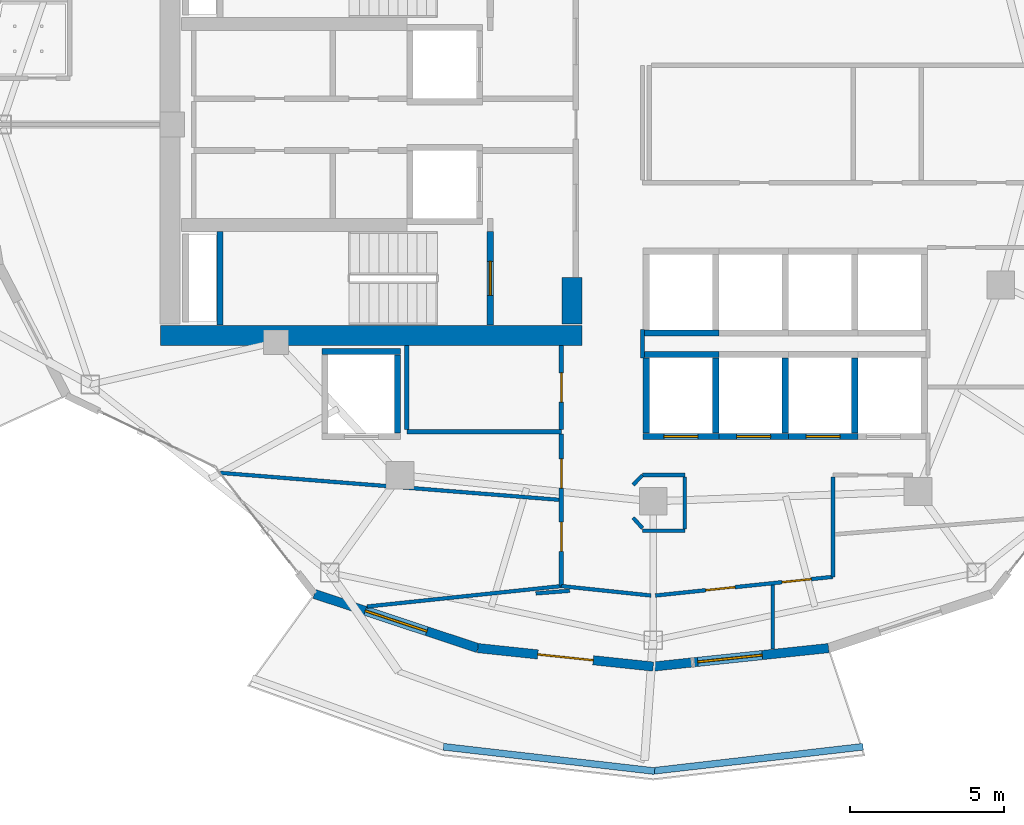
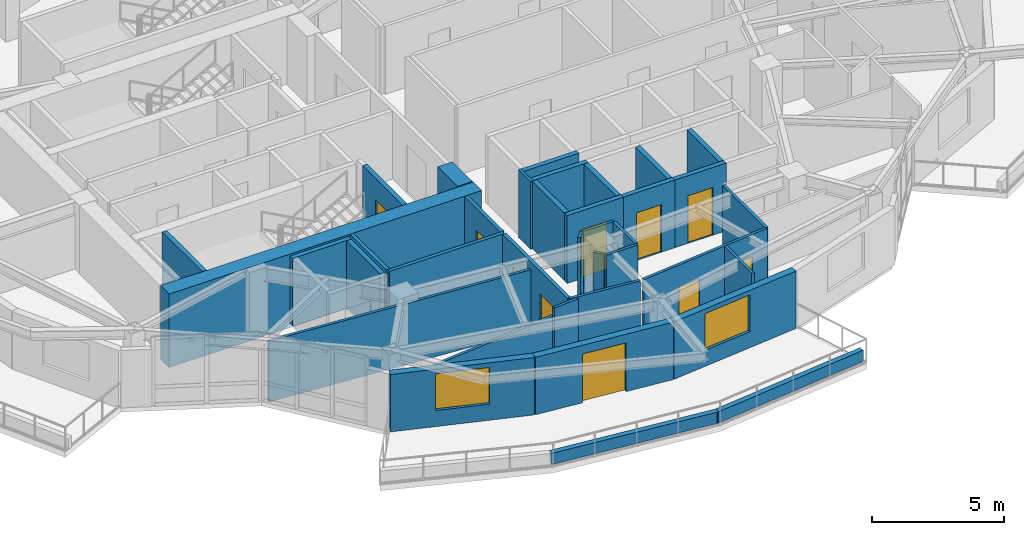
# One storey, part 8 of 19: 37 walls, 10 doors, 2 windows, 12 openings.
"""IFC4 building model written with IfcOpenShell, lengths in metres."""

from ifc_helpers import new_model, si_unit, direction, frame, frame_2d, origin, place, context, subcontext, project, spatial, rectangle, extrude, material, layer, layer_set, type_object, element, fill, save


model = new_model("IFC4")

# Units and contexts
model_context = context("Model", 3, precision=1e-05, world=origin(), true_north=direction((0.0, 1.0)))
body_context = subcontext(model_context, "Body", "Model", "MODEL_VIEW")
ifc_project = project(units=[si_unit("LENGTHUNIT", "METRE"), si_unit("AREAUNIT", "SQUARE_METRE"), si_unit("VOLUMEUNIT", "CUBIC_METRE"), si_unit("PLANEANGLEUNIT", "RADIAN"), si_unit("MASSUNIT", "GRAM", prefix="KILO")], contexts=[model_context])

# Site, building, storey
site_placement = place(None, origin())
site = spatial("IfcSite", under=ifc_project, at=site_placement, CompositionType="ELEMENT")
building_placement = place(site_placement, origin())
building = spatial("IfcBuilding", under=site, at=building_placement, Name="Kolvaren Gate Tower and Convention Centre", CompositionType="ELEMENT")
storey_placement = place(building_placement, frame((0.0, 0.0, 163.10009765625)))
storey = spatial("IfcBuildingStorey", under=building, at=storey_placement, Name="L42", CompositionType="ELEMENT", Elevation=163.10009765625)

# Walls
ifc_material_1 = material(Name="Fire-Rated Acoustic Gypsum Stud Partition", Category="gypsum")
ifc_layer_1 = layer(ifc_material_1, 0.1201171875)
ifc_layer_set_1 = layer_set([ifc_layer_1], Name="Fire-Rated Acoustic Gypsum Stud Partition")
wall_type_1 = type_object("IfcWallType", Name="ARCH-WL-PART-120", PredefinedType="PARTITIONING", material=ifc_layer_set_1)
wall_1_placement = place(storey_placement, frame((29.780029296875, 15.64990234375, 0.0), z_axis=(0.0, 0.0, 1.0), x_axis=(1.0, 0.0, 0.0)))
element("IfcWall", 1, at=wall_1_placement, inside=storey, type_object=wall_type_1, Name="Interior Partition WL-L42-INT-025", PredefinedType="PARTITIONING", context=body_context, shape_type="SweptSolid", body=[
    extrude(rectangle(XDim=1.369873046875, YDim=0.1201171875, at=frame_2d((0.68505859375, 0.0))), origin(), (0.0, 0.0, 1.0), 3.1298828125),
])
wall_2_placement = place(storey_placement, frame((35.949951171875, 12.35595703125, 0.0), z_axis=(0.0, 0.0, 1.0), x_axis=(0.0, 1.0, 0.0)))
element("IfcWall", 2, at=wall_2_placement, inside=storey, type_object=wall_type_1, Name="Interior Partition WL-L42-INT-027", PredefinedType="PARTITIONING", context=body_context, shape_type="SweptSolid", body=[
    extrude(rectangle(XDim=3.23193359375, YDim=0.1201171875, at=frame_2d((1.615966796875, 0.0))), origin(), (0.0, 0.0, 1.0), 3.1298828125),
])

# Wall, openings, doors
wall_3_placement = place(storey_placement, frame((30.195068359375, 11.75, 0.0), z_axis=(0.0, 0.0, 1.0), x_axis=(0.994502215954, 0.104715531139, 0.0)))
wall_3 = element("IfcWall", 3, at=wall_3_placement, inside=storey, type_object=wall_type_1, Name="Interior Partition WL-L42-INT-028", PredefinedType="PARTITIONING", context=body_context, shape_type="SweptSolid", body=[
    extrude(rectangle(XDim=5.78662109375, YDim=0.1201171875, at=frame_2d((2.893310546875, 0.0))), origin(), (0.0, 0.0, 1.0), 3.1298828125),
])
opening_1_placement = place(wall_3_placement, frame((1.643798828125, 0.0, 0.0)))
opening_1 = element("IfcOpeningElement", 4, at=opening_1_placement, cuts=wall_3, Name="Opening DR-01", PredefinedType="OPENING", context=body_context, shape_type="SweptSolid", body=[
    extrude(rectangle(XDim=0.949951171875, YDim=2.10009765625, at=frame_2d((0.47509765625, 1.050048828125))), frame((0.0, 0.070068359375, 0.0), z_axis=(0.0, -1.0, 0.0), x_axis=(1.0, 0.0, 0.0)), (0.0, 0.0, 1.0), 0.14013671875),
])
opening_2_placement = place(wall_3_placement, frame((4.125732421875, 0.0, 0.0)))
opening_2 = element("IfcOpeningElement", 5, at=opening_2_placement, cuts=wall_3, Name="Opening DR-01", PredefinedType="OPENING", context=body_context, shape_type="SweptSolid", body=[
    extrude(rectangle(XDim=0.949951171875, YDim=2.10009765625, at=frame_2d((0.47509765625, 1.050048828125))), frame((0.0, 0.070068359375, 0.0), z_axis=(0.0, -1.0, 0.0), x_axis=(1.0, 0.0, 0.0)), (0.0, 0.0, 1.0), 0.14013671875),
])
ifc_material_2 = material(Name="Painted Architectural Steelwork ASTM A500 Grade C 345 MPa", Category="steel")
door_type_1 = type_object("IfcDoorType", Name="ARCH-DR-RISER-950", OperationType="SINGLE_SWING_RIGHT", PredefinedType="DOOR", material=ifc_material_2)
door_1_placement = place(opening_1_placement, origin())
door_1 = element("IfcDoor", 6, at=door_1_placement, inside=storey, type_object=door_type_1, Name="Luxury Retail Boutique Door", OperationType="SINGLE_SWING_LEFT", OverallHeight=2.10009765625, OverallWidth=0.949951171875, PredefinedType="DOOR", context=body_context, shape_type="SweptSolid", body=[
    extrude(rectangle(XDim=0.949951171875, YDim=2.10009765625, at=frame_2d((0.47509765625, 1.050048828125))), frame((0.0, 0.02490234375, 0.0), z_axis=(0.0, -1.0, 0.0), x_axis=(1.0, 0.0, 0.0)), (0.0, 0.0, 1.0), 0.050048828125),
])
fill(opening_1, door_1)
door_2_placement = place(opening_2_placement, origin())
door_2 = element("IfcDoor", 7, at=door_2_placement, inside=storey, type_object=door_type_1, Name="Luxury Retail Boutique Door", OperationType="SINGLE_SWING_RIGHT", OverallHeight=2.10009765625, OverallWidth=0.949951171875, PredefinedType="DOOR", context=body_context, shape_type="SweptSolid", body=[
    extrude(rectangle(XDim=0.949951171875, YDim=2.10009765625, at=frame_2d((0.47509765625, 1.050048828125))), frame((0.0, 0.02490234375, 0.0), z_axis=(0.0, -1.0, 0.0), x_axis=(1.0, 0.0, 0.0)), (0.0, 0.0, 1.0), 0.050048828125),
])
fill(opening_2, door_2)

# Walls
wall_4_placement = place(storey_placement, frame((27.14990234375, 12.055908203125, 0.0), z_axis=(0.0, 0.0, 1.0), x_axis=(0.994501330468, -0.104723940422, 0.0)))
element("IfcWall", 8, at=wall_4_placement, inside=storey, type_object=wall_type_1, Name="Interior Partition WL-L42-INT-029", PredefinedType="PARTITIONING", context=body_context, shape_type="SweptSolid", body=[
    extrude(rectangle(XDim=2.921142578125, YDim=0.1201171875, at=frame_2d((1.46044921875, 0.0))), origin(), (0.0, 0.0, 1.0), 3.1298828125),
])
wall_5_placement = place(storey_placement, frame((29.780029296875, 19.43994140625, 0.0), z_axis=(0.0, 0.0, 1.0), x_axis=(0.0, 1.0, 0.0)))
element("IfcWall", 9, at=wall_5_placement, inside=storey, type_object=wall_type_1, Name="Interior Partition WL-L42-INT-032", PredefinedType="PARTITIONING", context=body_context, shape_type="SweptSolid", body=[
    extrude(rectangle(XDim=0.920166015625, YDim=0.1201171875, at=frame_2d((0.4599609375, 0.0))), origin(), (0.0, 0.0, 1.0), 3.1298828125),
])
wall_6_placement = place(storey_placement, frame((29.47607421875, 15.3330078125, 0.0), z_axis=(0.0, 0.0, 1.0), x_axis=(0.692219273951, 0.721687243043, 0.0)))
element("IfcWall", 10, at=wall_6_placement, inside=storey, type_object=wall_type_1, Name="Interior Partition WL-L42-INT-044", PredefinedType="PARTITIONING", context=body_context, shape_type="SweptSolid", body=[
    extrude(rectangle(XDim=0.439208984375, YDim=0.1201171875, at=frame_2d((0.2197265625, 0.0))), origin(), (0.0, 0.0, 1.0), 3.1298828125),
])
wall_7_placement = place(storey_placement, frame((29.47607421875, 14.26708984375, 0.0), z_axis=(0.0, 0.0, 1.0), x_axis=(0.670659392016, -0.741765448037, 0.0)))
element("IfcWall", 11, at=wall_7_placement, inside=storey, type_object=wall_type_1, Name="Interior Partition WL-L42-INT-045", PredefinedType="PARTITIONING", context=body_context, shape_type="SweptSolid", body=[
    extrude(rectangle(XDim=0.453125, YDim=0.1201171875, at=frame_2d((0.2265625, 0.0))), origin(), (0.0, 0.0, 1.0), 3.1298828125),
])
wall_8_placement = place(storey_placement, frame((29.780029296875, 13.85009765625, 0.0), z_axis=(0.0, 0.0, 1.0), x_axis=(1.0, 0.0, 0.0)))
element("IfcWall", 12, at=wall_8_placement, inside=storey, type_object=wall_type_1, Name="Interior Partition WL-L42-INT-046", PredefinedType="PARTITIONING", context=body_context, shape_type="SweptSolid", body=[
    extrude(rectangle(XDim=1.369873046875, YDim=0.1201171875, at=frame_2d((0.68505859375, 0.0))), origin(), (0.0, 0.0, 1.0), 3.1298828125),
])
wall_9_placement = place(storey_placement, frame((31.14990234375, 13.912109375, 0.0), z_axis=(0.0, 0.0, 1.0), x_axis=(0.0, 1.0, 0.0)))
element("IfcWall", 13, at=wall_9_placement, inside=storey, type_object=wall_type_1, Name="Interior Partition WL-L42-INT-047", PredefinedType="PARTITIONING", context=body_context, shape_type="SweptSolid", body=[
    extrude(rectangle(XDim=1.67578125, YDim=0.1201171875, at=frame_2d((0.837890625, 0.0))), origin(), (0.0, 0.0, 1.0), 3.1298828125),
])
wall_10_placement = place(storey_placement, frame((16.11669921875, 15.72119140625, 0.0), z_axis=(0.0, 0.0, 1.0), x_axis=(0.99685428738, -0.079256102176, 0.0)))
element("IfcWall", 14, at=wall_10_placement, inside=storey, type_object=wall_type_1, Name="Interior Partition WL-L42-INT-050", PredefinedType="PARTITIONING", context=body_context, shape_type="SweptSolid", body=[
    extrude(rectangle(XDim=10.990966796875, YDim=0.1201171875, at=frame_2d((5.49560546875, 0.0))), origin(), (0.0, 0.0, 1.0), 2.81201171875),
])
wall_11_placement = place(storey_placement, frame((20.867431640625, 11.394287109375, 0.0), z_axis=(0.0, 0.0, 1.0), x_axis=(0.994500369419, 0.104733066534, 0.0)))
element("IfcWall", 15, at=wall_11_placement, inside=storey, type_object=wall_type_1, Name="Interior Partition WL-L42-INT-051", PredefinedType="PARTITIONING", context=body_context, shape_type="SweptSolid", body=[
    extrude(rectangle(XDim=6.317138671875, YDim=0.1201171875, at=frame_2d((3.15869140625, 0.0))), origin(), (0.0, 0.0, 1.0), 2.65283203125),
])
wall_12_placement = place(storey_placement, frame((26.323486328125, 11.818115234375, 0.0), z_axis=(0.0, 0.0, 1.0), x_axis=(0.996928224464, 0.078320592867, 0.0)))
element("IfcWall", 16, at=wall_12_placement, inside=storey, type_object=wall_type_1, Name="Interior Partition WL-L42-INT-052", PredefinedType="PARTITIONING", context=body_context, shape_type="SweptSolid", body=[
    extrude(rectangle(XDim=1.103515625, YDim=0.1201171875, at=frame_2d((0.5517578125, 0.0))), origin(), (0.0, 0.0, 1.0), 3.1298828125),
])
wall_13_placement = place(storey_placement, frame((34.0, 10.010986328125, 0.0), z_axis=(0.0, 0.0, 1.0), x_axis=(0.0, 1.0, 0.0)))
element("IfcWall", 17, at=wall_13_placement, inside=storey, type_object=wall_type_1, Name="Interior Partition WL-L42-INT-053", PredefinedType="PARTITIONING", context=body_context, shape_type="SweptSolid", body=[
    extrude(rectangle(XDim=2.077392578125, YDim=0.1201171875, at=frame_2d((1.03857421875, 0.0))), origin(), (0.0, 0.0, 1.0), 3.1298828125),
])
ifc_material_3 = material(Name="Piedmont Cream Honed Limestone Cladding", Category="masonry")
ifc_layer_2 = layer(ifc_material_3, 0.219970703125)
ifc_layer_set_2 = layer_set([ifc_layer_2], Name="Piedmont Cream Honed Limestone Cladding")
wall_type_2 = type_object("IfcWallType", Name="ARCH-WL-PLANTER-220", PredefinedType="PARAPET", material=ifc_layer_set_2)
for number, where, z_axis, x_axis, name in (
    (18, (23.330078125, 6.853759765625, 0.0), (0.0, 0.0, 1.0), (0.993440576506, -0.114349555972, 0.0), "Vertical-Forest Balcony Stone Planter Kerb PK-L42-3.2"),
    (19, (30.07958984375, 6.06640625, 0.0), (0.0, 0.0, 1.0), (0.993440576506, 0.114349555972, 0.0), "Vertical-Forest Balcony Stone Planter Kerb PK-L42-3.3"),
):
    element("IfcWall", number, at=place(storey_placement, frame(where, z_axis=z_axis, x_axis=x_axis)), inside=storey, type_object=wall_type_2, Name=name, PredefinedType="PARAPET", context=body_context, shape_type="SweptSolid", body=[
        extrude(rectangle(XDim=6.885498046875, YDim=0.219970703125, at=frame_2d((3.44287109375, 0.0))), origin(), (0.0, 0.0, 1.0), 0.52001953125),
    ])
ifc_material_4 = material(Name="Autoclaved Aerated Masonry Blockwork Class 4 (4.0 MPa)", Category="masonry")
ifc_layer_3 = layer(ifc_material_4, 0.199951171875)
ifc_layer_set_3 = layer_set([ifc_layer_3], Name="Autoclaved Aerated Masonry Blockwork Class 4 (4.0 MPa)")
wall_type_3 = type_object("IfcWallType", Name="ARCH-WL-SHAFT-200", PredefinedType="SOLIDWALL", material=ifc_layer_set_3)
wall_14_placement = place(storey_placement, frame((19.39990234375, 19.64990234375, 0.0), z_axis=(0.0, 0.0, 1.0), x_axis=(1.0, 0.0, 0.0)))
element("IfcWall", 20, at=wall_14_placement, inside=storey, type_object=wall_type_3, Name="Elevator SV-01 L42 Fire Shaft Wall N", PredefinedType="SOLIDWALL", context=body_context, shape_type="SweptSolid", body=[
    extrude(rectangle(XDim=2.550048828125, YDim=0.199951171875, at=frame_2d((1.27490234375, 0.0))), origin(), (0.0, 0.0, 1.0), 3.1298828125),
])
wall_15_placement = place(storey_placement, frame((21.85009765625, 17.010009765625, 0.0), z_axis=(0.0, 0.0, 1.0), x_axis=(0.0, 1.0, 0.0)))
element("IfcWall", 21, at=wall_15_placement, inside=storey, type_object=wall_type_3, Name="Elevator SV-01 L42 Fire Shaft Wall E", PredefinedType="SOLIDWALL", context=body_context, shape_type="SweptSolid", body=[
    extrude(rectangle(XDim=2.530029296875, YDim=0.199951171875, at=frame_2d((1.26513671875, 0.0))), origin(), (0.0, 0.0, 1.0), 3.1298828125),
])
wall_16_placement = place(storey_placement, frame((29.800048828125, 19.550048828125, 0.0), z_axis=(0.0, 0.0, 1.0), x_axis=(1.0, 0.0, 0.0)))
element("IfcWall", 22, at=wall_16_placement, inside=storey, type_object=wall_type_3, Name="Elevator PL-05 L42 Fire Shaft Wall N", PredefinedType="SOLIDWALL", context=body_context, shape_type="SweptSolid", body=[
    extrude(rectangle(XDim=2.449951171875, YDim=0.199951171875, at=frame_2d((1.22509765625, 0.0))), origin(), (0.0, 0.0, 1.0), 3.1298828125),
])

# Wall, opening, door
wall_17_placement = place(storey_placement, frame((29.800048828125, 16.89990234375, 0.0), z_axis=(0.0, 0.0, 1.0), x_axis=(1.0, 0.0, 0.0)))
wall_17 = element("IfcWall", 23, at=wall_17_placement, inside=storey, type_object=wall_type_3, Name="Elevator PL-05 L42 Fire Shaft Wall S", PredefinedType="SOLIDWALL", context=body_context, shape_type="SweptSolid", body=[
    extrude(rectangle(XDim=2.449951171875, YDim=0.199951171875, at=frame_2d((1.22509765625, 0.0))), origin(), (0.0, 0.0, 1.0), 3.1298828125),
])
opening_3_placement = place(wall_17_placement, frame((0.675048828125, 0.0, 0.0)))
opening_3 = element("IfcOpeningElement", 24, at=opening_3_placement, cuts=wall_17, Name="Opening LD", PredefinedType="OPENING", context=body_context, shape_type="SweptSolid", body=[
    extrude(rectangle(XDim=1.10009765625, YDim=2.199951171875, at=frame_2d((0.550048828125, 1.10009765625))), frame((0.0, 0.10986328125, 0.0), z_axis=(0.0, -1.0, 0.0), x_axis=(1.0, 0.0, 0.0)), (0.0, 0.0, 1.0), 0.219970703125),
])
ifc_material_5 = material(Name="Brushed Stainless Steel Grade 316L", Category="steel")
door_type_2 = type_object("IfcDoorType", Name="ARCH-DR-LIFT-1100", OperationType="SLIDING_TO_LEFT", PredefinedType="DOOR", material=ifc_material_5)
door_3_placement = place(opening_3_placement, origin())
door_3 = element("IfcDoor", 25, at=door_3_placement, inside=storey, type_object=door_type_2, Name="Elevator PL-05 L42 Sliding Landing Door", OperationType="SLIDING_TO_LEFT", OverallHeight=2.199951171875, OverallWidth=1.10009765625, PredefinedType="DOOR", context=body_context, shape_type="SweptSolid", body=[
    extrude(rectangle(XDim=1.10009765625, YDim=2.199951171875, at=frame_2d((0.550048828125, 1.10009765625))), frame((0.0, 0.02490234375, 0.0), z_axis=(0.0, -1.0, 0.0), x_axis=(1.0, 0.0, 0.0)), (0.0, 0.0, 1.0), 0.050048828125),
])
fill(opening_3, door_3)

# Walls
for number, where, z_axis, x_axis, name in (
    (26, (29.89990234375, 17.010009765625, 0.0), (0.0, 0.0, 1.0), (0.0, 1.0, 0.0), "Elevator PL-05 L42 Fire Shaft Wall W"),
    (27, (32.14990234375, 17.010009765625, 0.0), (0.0, 0.0, 1.0), (0.0, 1.0, 0.0), "Elevator PL-05 L42 Fire Shaft Wall E"),
):
    element("IfcWall", number, at=place(storey_placement, frame(where, z_axis=z_axis, x_axis=x_axis)), inside=storey, type_object=wall_type_3, Name=name, PredefinedType="SOLIDWALL", context=body_context, shape_type="SweptSolid", body=[
        extrude(rectangle(XDim=2.429931640625, YDim=0.199951171875, at=frame_2d((1.21484375, 0.0))), origin(), (0.0, 0.0, 1.0), 3.1298828125),
    ])

# Wall, opening, door
wall_18_placement = place(storey_placement, frame((32.25, 16.89990234375, 0.0), z_axis=(0.0, 0.0, 1.0), x_axis=(1.0, 0.0, 0.0)))
wall_18 = element("IfcWall", 28, at=wall_18_placement, inside=storey, type_object=wall_type_3, Name="Elevator PL-06 L42 Fire Shaft Wall S", PredefinedType="SOLIDWALL", context=body_context, shape_type="SweptSolid", body=[
    extrude(rectangle(XDim=2.25, YDim=0.199951171875, at=frame_2d((1.125, 0.0))), origin(), (0.0, 0.0, 1.0), 3.1298828125),
])
opening_4_placement = place(wall_18_placement, frame((0.574951171875, 0.0, 0.0)))
opening_4 = element("IfcOpeningElement", 29, at=opening_4_placement, cuts=wall_18, Name="Opening LD", PredefinedType="OPENING", context=body_context, shape_type="SweptSolid", body=[
    extrude(rectangle(XDim=1.10009765625, YDim=2.199951171875, at=frame_2d((0.550048828125, 1.10009765625))), frame((0.0, 0.10986328125, 0.0), z_axis=(0.0, -1.0, 0.0), x_axis=(1.0, 0.0, 0.0)), (0.0, 0.0, 1.0), 0.219970703125),
])
door_4_placement = place(opening_4_placement, origin())
door_4 = element("IfcDoor", 30, at=door_4_placement, inside=storey, type_object=door_type_2, Name="Elevator PL-06 L42 Sliding Landing Door", OperationType="SLIDING_TO_LEFT", OverallHeight=2.199951171875, OverallWidth=1.10009765625, PredefinedType="DOOR", context=body_context, shape_type="SweptSolid", body=[
    extrude(rectangle(XDim=1.10009765625, YDim=2.199951171875, at=frame_2d((0.550048828125, 1.10009765625))), frame((0.0, 0.02490234375, 0.0), z_axis=(0.0, -1.0, 0.0), x_axis=(1.0, 0.0, 0.0)), (0.0, 0.0, 1.0), 0.050048828125),
])
fill(opening_4, door_4)

# Wall
wall_19_placement = place(storey_placement, frame((34.39990234375, 17.010009765625, 0.0), z_axis=(0.0, 0.0, 1.0), x_axis=(0.0, 1.0, 0.0)))
element("IfcWall", 31, at=wall_19_placement, inside=storey, type_object=wall_type_3, Name="Elevator PL-06 L42 Fire Shaft Wall E", PredefinedType="SOLIDWALL", context=body_context, shape_type="SweptSolid", body=[
    extrude(rectangle(XDim=2.429931640625, YDim=0.199951171875, at=frame_2d((1.21484375, 0.0))), origin(), (0.0, 0.0, 1.0), 3.1298828125),
])

# Wall, opening, door
wall_20_placement = place(storey_placement, frame((34.5, 16.89990234375, 0.0), z_axis=(0.0, 0.0, 1.0), x_axis=(1.0, 0.0, 0.0)))
wall_20 = element("IfcWall", 32, at=wall_20_placement, inside=storey, type_object=wall_type_3, Name="Elevator PL-07 L42 Fire Shaft Wall S", PredefinedType="SOLIDWALL", context=body_context, shape_type="SweptSolid", body=[
    extrude(rectangle(XDim=2.25, YDim=0.199951171875, at=frame_2d((1.125, 0.0))), origin(), (0.0, 0.0, 1.0), 3.1298828125),
])
opening_5_placement = place(wall_20_placement, frame((0.574951171875, 0.0, 0.0)))
opening_5 = element("IfcOpeningElement", 33, at=opening_5_placement, cuts=wall_20, Name="Opening LD", PredefinedType="OPENING", context=body_context, shape_type="SweptSolid", body=[
    extrude(rectangle(XDim=1.10009765625, YDim=2.199951171875, at=frame_2d((0.550048828125, 1.10009765625))), frame((0.0, 0.10986328125, 0.0), z_axis=(0.0, -1.0, 0.0), x_axis=(1.0, 0.0, 0.0)), (0.0, 0.0, 1.0), 0.219970703125),
])
door_5_placement = place(opening_5_placement, origin())
door_5 = element("IfcDoor", 34, at=door_5_placement, inside=storey, type_object=door_type_2, Name="Elevator PL-07 L42 Sliding Landing Door", OperationType="SLIDING_TO_LEFT", OverallHeight=2.199951171875, OverallWidth=1.10009765625, PredefinedType="DOOR", context=body_context, shape_type="SweptSolid", body=[
    extrude(rectangle(XDim=1.10009765625, YDim=2.199951171875, at=frame_2d((0.550048828125, 1.10009765625))), frame((0.0, 0.02490234375, 0.0), z_axis=(0.0, -1.0, 0.0), x_axis=(1.0, 0.0, 0.0)), (0.0, 0.0, 1.0), 0.050048828125),
])
fill(opening_5, door_5)

# Walls
wall_21_placement = place(storey_placement, frame((36.64990234375, 17.010009765625, 0.0), z_axis=(0.0, 0.0, 1.0), x_axis=(0.0, 1.0, 0.0)))
element("IfcWall", 35, at=wall_21_placement, inside=storey, type_object=wall_type_3, Name="Elevator PL-07 L42 Fire Shaft Wall E", PredefinedType="SOLIDWALL", context=body_context, shape_type="SweptSolid", body=[
    extrude(rectangle(XDim=2.429931640625, YDim=0.199951171875, at=frame_2d((1.21484375, 0.0))), origin(), (0.0, 0.0, 1.0), 3.1298828125),
])
wall_22_placement = place(storey_placement, frame((29.800048828125, 20.25, 0.0), z_axis=(0.0, 0.0, 1.0), x_axis=(1.0, 0.0, 0.0)))
element("IfcWall", 36, at=wall_22_placement, inside=storey, type_object=wall_type_3, Name="Elevator PL-09 L42 Fire Shaft Wall S", PredefinedType="SOLIDWALL", context=body_context, shape_type="SweptSolid", body=[
    extrude(rectangle(XDim=2.449951171875, YDim=0.199951171875, at=frame_2d((1.22509765625, 0.0))), origin(), (0.0, 0.0, 1.0), 3.1298828125),
])

# Wall, opening, window
ifc_layer_4 = layer(ifc_material_3, 0.300048828125)
ifc_layer_set_4 = layer_set([ifc_layer_4], Name="Piedmont Cream Honed Limestone Cladding")
wall_type_4 = type_object("IfcWallType", Name="ARCH-WL-STONE-300", PredefinedType="SOLIDWALL", material=ifc_layer_set_4)
wall_23_placement = place(storey_placement, frame((19.15625, 11.80126953125, 0.0), z_axis=(0.0, 0.0, 1.0), x_axis=(0.949246811547, -0.314532177636, 0.0)))
wall_23 = element("IfcWall", 37, at=wall_23_placement, inside=storey, type_object=wall_type_4, Name="Tower L42 Honed Stone Spandrel Wall EW-16", PredefinedType="SOLIDWALL", context=body_context, shape_type="SweptSolid", body=[
    extrude(rectangle(XDim=5.573974609375, YDim=0.300048828125, at=frame_2d((2.787109375, 0.0))), origin(), (0.0, 0.0, 1.0), 2.65283203125),
])
opening_6_placement = place(wall_23_placement, frame((1.737060546875, 0.0, 0.739990234375)))
opening_6 = element("IfcOpeningElement", 38, at=opening_6_placement, cuts=wall_23, Name="Opening W-02", PredefinedType="OPENING", context=body_context, shape_type="SweptSolid", body=[
    extrude(rectangle(XDim=2.10009765625, YDim=1.699951171875, at=frame_2d((1.050048828125, 0.85009765625))), frame((0.0, 0.159912109375, 0.0), z_axis=(0.0, -1.0, 0.0), x_axis=(1.0, 0.0, 0.0)), (0.0, 0.0, 1.0), 0.320068359375),
])
ifc_material_6 = material(Name="Low-E Triple Insulated Glazing Unit 44 mm", Category="glass")
window_type = type_object("IfcWindowType", Name="ARCH-WN-HTL-2100", PartitioningType="SINGLE_PANEL", PredefinedType="WINDOW", material=ifc_material_6)
window_1_placement = place(opening_6_placement, origin())
window_1 = element("IfcWindow", 39, at=window_1_placement, inside=storey, type_object=window_type, Name="Tower L42 Punched Stone Facade Window W-16", OverallHeight=1.699951171875, OverallWidth=2.10009765625, PartitioningType="SINGLE_PANEL", PredefinedType="WINDOW", context=body_context, shape_type="SweptSolid", body=[
    extrude(rectangle(XDim=2.10009765625, YDim=1.699951171875, at=frame_2d((1.050048828125, 0.85009765625))), frame((0.0, 0.030029296875, 0.0), z_axis=(0.0, -1.0, 0.0), x_axis=(1.0, 0.0, 0.0)), (0.0, 0.0, 1.0), 0.06005859375),
])
fill(opening_6, window_1)

# Wall, opening, door
wall_24_placement = place(storey_placement, frame((24.447265625, 10.048095703125, 0.0), z_axis=(0.0, 0.0, 1.0), x_axis=(0.994496545245, -0.104769372887, 0.0)))
wall_24 = element("IfcWall", 40, at=wall_24_placement, inside=storey, type_object=wall_type_4, Name="Tower L42 Honed Stone Spandrel Wall EW-17", PredefinedType="SOLIDWALL", context=body_context, shape_type="SweptSolid", body=[
    extrude(rectangle(XDim=5.709228515625, YDim=0.300048828125, at=frame_2d((2.8544921875, 0.0))), origin(), (0.0, 0.0, 1.0), 2.65283203125),
])
opening_7_placement = place(wall_24_placement, frame((1.955078125, 0.0, 0.0)))
opening_7 = element("IfcOpeningElement", 41, at=opening_7_placement, cuts=wall_24, Name="Opening DB-01", PredefinedType="OPENING", context=body_context, shape_type="SweptSolid", body=[
    extrude(rectangle(XDim=1.800048828125, YDim=2.25, at=frame_2d((0.89990234375, 1.125))), frame((0.0, 0.159912109375, 0.0), z_axis=(0.0, -1.0, 0.0), x_axis=(1.0, 0.0, 0.0)), (0.0, 0.0, 1.0), 0.320068359375),
])
ifc_material_7 = material(Name="Anodized Architectural Aluminium Alloy 6063-T6", Category="aluminium")
door_type_3 = type_object("IfcDoorType", Name="ARCH-DR-BALC-1800", OperationType="SLIDING_TO_LEFT", PredefinedType="DOOR", material=ifc_material_7)
door_6_placement = place(opening_7_placement, frame((1.800048828125, 0.0, 0.0), z_axis=(0.0, 0.0, 1.0), x_axis=(-1.0, 0.0, 0.0)))
door_6 = element("IfcDoor", 42, at=door_6_placement, inside=storey, type_object=door_type_3, Name="Planted Sky Terrace Access Door DB-L42-17", OperationType="SLIDING_TO_LEFT", OverallHeight=2.25, OverallWidth=1.800048828125, PredefinedType="DOOR", context=body_context, shape_type="SweptSolid", body=[
    extrude(rectangle(XDim=1.800048828125, YDim=2.25, at=frame_2d((0.89990234375, 1.125))), frame((0.0, 0.02490234375, 0.0), z_axis=(0.0, -1.0, 0.0), x_axis=(1.0, 0.0, 0.0)), (0.0, 0.0, 1.0), 0.050048828125),
])
fill(opening_7, door_6)

# Wall, opening, window
wall_25_placement = place(storey_placement, frame((30.125, 9.449951171875, 0.0), z_axis=(0.0, 0.0, 1.0), x_axis=(0.994496545245, 0.104769372887, 0.0)))
wall_25 = element("IfcWall", 43, at=wall_25_placement, inside=storey, type_object=wall_type_4, Name="Tower L42 Honed Stone Spandrel Wall EW-18", PredefinedType="SOLIDWALL", context=body_context, shape_type="SweptSolid", body=[
    extrude(rectangle(XDim=5.709228515625, YDim=0.300048828125, at=frame_2d((2.8544921875, 0.0))), origin(), (0.0, 0.0, 1.0), 2.65283203125),
])
opening_8_placement = place(wall_25_placement, frame((1.449951171875, 0.0, 0.739990234375)))
opening_8 = element("IfcOpeningElement", 44, at=opening_8_placement, cuts=wall_25, Name="Opening W-02", PredefinedType="OPENING", context=body_context, shape_type="SweptSolid", body=[
    extrude(rectangle(XDim=2.10009765625, YDim=1.699951171875, at=frame_2d((1.050048828125, 0.85009765625))), frame((0.0, 0.159912109375, 0.0), z_axis=(0.0, -1.0, 0.0), x_axis=(1.0, 0.0, 0.0)), (0.0, 0.0, 1.0), 0.320068359375),
])
window_2_placement = place(opening_8_placement, origin())
window_2 = element("IfcWindow", 45, at=window_2_placement, inside=storey, type_object=window_type, Name="Tower L42 Punched Stone Facade Window W-18", OverallHeight=1.699951171875, OverallWidth=2.10009765625, PartitioningType="SINGLE_PANEL", PredefinedType="WINDOW", context=body_context, shape_type="SweptSolid", body=[
    extrude(rectangle(XDim=2.10009765625, YDim=1.699951171875, at=frame_2d((1.050048828125, 0.85009765625))), frame((0.0, 0.030029296875, 0.0), z_axis=(0.0, -1.0, 0.0), x_axis=(1.0, 0.0, 0.0)), (0.0, 0.0, 1.0), 0.06005859375),
])
fill(opening_8, window_2)

# Walls
ifc_material_8 = material(Name="Moisture-Resistant Cement-Board Acoustic Partition", Category="gypsum")
ifc_layer_5 = layer(ifc_material_8, 0.14990234375)
ifc_layer_set_5 = layer_set([ifc_layer_5], Name="Moisture-Resistant Cement-Board Acoustic Partition")
wall_type_5 = type_object("IfcWallType", Name="ARCH-WL-WET-150", PredefinedType="PARTITIONING", material=ifc_layer_set_5)
wall_26_placement = place(storey_placement, frame((22.14990234375, 17.050048828125, 0.0), z_axis=(0.0, 0.0, 1.0), x_axis=(1.0, 0.0, 0.0)))
element("IfcWall", 46, at=wall_26_placement, inside=storey, type_object=wall_type_5, Name="Interior Partition WL-L42-INT-010", PredefinedType="PARTITIONING", context=body_context, shape_type="SweptSolid", body=[
    extrude(rectangle(XDim=5.0, YDim=0.14990234375, at=frame_2d((2.5, 0.0))), origin(), (0.0, 0.0, 1.0), 3.1298828125),
])
wall_27_placement = place(storey_placement, frame((22.14990234375, 17.126953125, 0.0), z_axis=(0.0, 0.0, 1.0), x_axis=(0.0, 1.0, 0.0)))
element("IfcWall", 47, at=wall_27_placement, inside=storey, type_object=wall_type_5, Name="Interior Partition WL-L42-INT-011", PredefinedType="PARTITIONING", context=body_context, shape_type="SweptSolid", body=[
    extrude(rectangle(XDim=2.720947265625, YDim=0.14990234375, at=frame_2d((1.3603515625, 0.0))), origin(), (0.0, 0.0, 1.0), 3.1298828125),
])

# Wall, openings, doors
wall_28_placement = place(storey_placement, frame((27.14990234375, 12.055908203125, 0.0), z_axis=(0.0, 0.0, 1.0), x_axis=(0.0, 1.0, 0.0)))
wall_28 = element("IfcWall", 48, at=wall_28_placement, inside=storey, type_object=wall_type_5, Name="Interior Partition WL-L42-INT-012", PredefinedType="PARTITIONING", context=body_context, shape_type="SweptSolid", body=[
    extrude(rectangle(XDim=4.9169921875, YDim=0.14990234375, at=frame_2d((2.45849609375, 0.0))), origin(), (0.0, 0.0, 1.0), 3.1298828125),
])
opening_9_placement = place(wall_28_placement, frame((3.172119140625, 0.0, 0.0)))
opening_9 = element("IfcOpeningElement", 49, at=opening_9_placement, cuts=wall_28, Name="Opening DR-01", PredefinedType="OPENING", context=body_context, shape_type="SweptSolid", body=[
    extrude(rectangle(XDim=0.949951171875, YDim=2.10009765625, at=frame_2d((0.47509765625, 1.050048828125))), frame((0.0, 0.0849609375, 0.0), z_axis=(0.0, -1.0, 0.0), x_axis=(1.0, 0.0, 0.0)), (0.0, 0.0, 1.0), 0.169921875),
])
opening_10_placement = place(wall_28_placement, frame((1.12451171875, 0.0, 0.0)))
opening_10 = element("IfcOpeningElement", 50, at=opening_10_placement, cuts=wall_28, Name="Opening DR-01", PredefinedType="OPENING", context=body_context, shape_type="SweptSolid", body=[
    extrude(rectangle(XDim=0.949951171875, YDim=2.10009765625, at=frame_2d((0.47509765625, 1.050048828125))), frame((0.0, 0.0849609375, 0.0), z_axis=(0.0, -1.0, 0.0), x_axis=(1.0, 0.0, 0.0)), (0.0, 0.0, 1.0), 0.169921875),
])
door_7_placement = place(opening_9_placement, origin())
door_7 = element("IfcDoor", 51, at=door_7_placement, inside=storey, type_object=door_type_1, Name="Luxury Retail Boutique Door", OperationType="SINGLE_SWING_LEFT", OverallHeight=2.10009765625, OverallWidth=0.949951171875, PredefinedType="DOOR", context=body_context, shape_type="SweptSolid", body=[
    extrude(rectangle(XDim=0.949951171875, YDim=2.10009765625, at=frame_2d((0.47509765625, 1.050048828125))), frame((0.0, 0.02490234375, 0.0), z_axis=(0.0, -1.0, 0.0), x_axis=(1.0, 0.0, 0.0)), (0.0, 0.0, 1.0), 0.050048828125),
])
fill(opening_9, door_7)
door_8_placement = place(opening_10_placement, origin())
door_8 = element("IfcDoor", 52, at=door_8_placement, inside=storey, type_object=door_type_1, Name="Luxury Retail Boutique Door", OperationType="SINGLE_SWING_RIGHT", OverallHeight=2.10009765625, OverallWidth=0.949951171875, PredefinedType="DOOR", context=body_context, shape_type="SweptSolid", body=[
    extrude(rectangle(XDim=0.949951171875, YDim=2.10009765625, at=frame_2d((0.47509765625, 1.050048828125))), frame((0.0, 0.02490234375, 0.0), z_axis=(0.0, -1.0, 0.0), x_axis=(1.0, 0.0, 0.0)), (0.0, 0.0, 1.0), 0.050048828125),
])
fill(opening_10, door_8)

# Wall, opening, door
wall_29_placement = place(storey_placement, frame((27.14990234375, 17.126953125, 0.0), z_axis=(0.0, 0.0, 1.0), x_axis=(0.0, 1.0, 0.0)))
wall_29 = element("IfcWall", 53, at=wall_29_placement, inside=storey, type_object=wall_type_5, Name="Interior Partition WL-L42-INT-012 (2)", PredefinedType="PARTITIONING", context=body_context, shape_type="SweptSolid", body=[
    extrude(rectangle(XDim=2.720947265625, YDim=0.14990234375, at=frame_2d((1.3603515625, 0.0))), origin(), (0.0, 0.0, 1.0), 3.1298828125),
])
opening_11_placement = place(wall_29_placement, frame((0.885498046875, 0.0, 0.0)))
opening_11 = element("IfcOpeningElement", 54, at=opening_11_placement, cuts=wall_29, Name="Opening DR-01", PredefinedType="OPENING", context=body_context, shape_type="SweptSolid", body=[
    extrude(rectangle(XDim=0.949951171875, YDim=2.10009765625, at=frame_2d((0.47509765625, 1.050048828125))), frame((0.0, 0.0849609375, 0.0), z_axis=(0.0, -1.0, 0.0), x_axis=(1.0, 0.0, 0.0)), (0.0, 0.0, 1.0), 0.169921875),
])
door_9_placement = place(opening_11_placement, origin())
door_9 = element("IfcDoor", 55, at=door_9_placement, inside=storey, type_object=door_type_1, Name="West Linen and Supply Store Door", OperationType="SINGLE_SWING_RIGHT", OverallHeight=2.10009765625, OverallWidth=0.949951171875, PredefinedType="DOOR", context=body_context, shape_type="SweptSolid", body=[
    extrude(rectangle(XDim=0.949951171875, YDim=2.10009765625, at=frame_2d((0.47509765625, 1.050048828125))), frame((0.0, 0.02490234375, 0.0), z_axis=(0.0, -1.0, 0.0), x_axis=(1.0, 0.0, 0.0)), (0.0, 0.0, 1.0), 0.050048828125),
])
fill(opening_11, door_9)

# Walls
ifc_material_9 = material(Name="Concrete C60/75", Category="concrete")
ifc_layer_6 = layer(ifc_material_9, 0.64990234375)
ifc_layer_set_6 = layer_set([ifc_layer_6], Name="Concrete C60/75")
wall_type_6 = type_object("IfcWallType", Name="STR-WL-CORE-650", PredefinedType="SHEAR", material=ifc_layer_set_6)
wall_30_placement = place(storey_placement, frame((14.175048828125, 20.175048828125, -0.27001953125), z_axis=(0.0, 0.0, 1.0), x_axis=(1.0, 0.0, 0.0)))
element("IfcWall", 56, at=wall_30_placement, inside=storey, type_object=wall_type_6, Name="Tower L42 Offset Core Shear Wall S", PredefinedType="SHEAR", context=body_context, shape_type="SweptSolid", body=[
    extrude(rectangle(XDim=13.64990234375, YDim=0.64990234375, at=frame_2d((6.824951171875, 0.0))), origin(), (0.0, 0.0, 1.0), 3.39990234375),
])
wall_31_placement = place(storey_placement, frame((27.5, 20.550048828125, -0.27001953125), z_axis=(0.0, 0.0, 1.0), x_axis=(0.0, 1.0, 0.0)))
element("IfcWall", 57, at=wall_31_placement, inside=storey, type_object=wall_type_6, Name="Tower L42 Offset Core Shear Wall ES", PredefinedType="SHEAR", context=body_context, shape_type="SweptSolid", body=[
    extrude(rectangle(XDim=1.5, YDim=0.64990234375, at=frame_2d((0.75, 0.0))), origin(), (0.0, 0.0, 1.0), 3.39990234375),
])

# Wall, opening, door
ifc_material_10 = material(Name="Concrete C50/60", Category="concrete")
ifc_layer_7 = layer(ifc_material_10, 0.199951171875)
ifc_layer_set_7 = layer_set([ifc_layer_7], Name="Concrete C50/60")
wall_type_7 = type_object("IfcWallType", Name="STR-WL-SHAFT-200", PredefinedType="SHEAR", material=ifc_layer_set_7)
wall_32_placement = place(storey_placement, frame((24.85009765625, 20.501953125, -0.27001953125), z_axis=(0.0, 0.0, 1.0), x_axis=(0.0, 1.0, 0.0)))
wall_32 = element("IfcWall", 58, at=wall_32_placement, inside=storey, type_object=wall_type_7, Name="Tower South Exit Stair ST-T2 L42 Structural Shear Enclosure Wall NEAR", PredefinedType="SHEAR", context=body_context, shape_type="SweptSolid", body=[
    extrude(rectangle(XDim=3.0380859375, YDim=0.199951171875, at=frame_2d((1.51904296875, 0.0))), origin(), (0.0, 0.0, 1.0), 3.39990234375),
])
opening_12_placement = place(wall_32_placement, frame((0.968994140625, 0.0, 0.27001953125)))
opening_12 = element("IfcOpeningElement", 59, at=opening_12_placement, cuts=wall_32, Name="Opening DS-01", PredefinedType="OPENING", context=body_context, shape_type="SweptSolid", body=[
    extrude(rectangle(XDim=1.10009765625, YDim=2.14990234375, at=frame_2d((0.550048828125, 1.074951171875))), frame((0.0, 0.10986328125, 0.0), z_axis=(0.0, -1.0, 0.0), x_axis=(1.0, 0.0, 0.0)), (0.0, 0.0, 1.0), 0.219970703125),
])
door_type_4 = type_object("IfcDoorType", Name="ARCH-DR-STAIR-1100", OperationType="SINGLE_SWING_LEFT", PredefinedType="DOOR", material=ifc_material_2)
door_10_placement = place(opening_12_placement, origin())
door_10 = element("IfcDoor", 60, at=door_10_placement, inside=storey, type_object=door_type_4, Name="Tower South Exit Stair ST-T2 L42 Fire Exit Stair Door", OperationType="SINGLE_SWING_RIGHT", OverallHeight=2.14990234375, OverallWidth=1.10009765625, PredefinedType="DOOR", context=body_context, shape_type="SweptSolid", body=[
    extrude(rectangle(XDim=1.10009765625, YDim=2.14990234375, at=frame_2d((0.550048828125, 1.074951171875))), frame((0.0, 0.02490234375, 0.0), z_axis=(0.0, -1.0, 0.0), x_axis=(1.0, 0.0, 0.0)), (0.0, 0.0, 1.0), 0.050048828125),
])
fill(opening_12, door_10)

# Wall
wall_33_placement = place(storey_placement, frame((16.10009765625, 20.501953125, -0.27001953125), z_axis=(0.0, 0.0, 1.0), x_axis=(0.0, 1.0, 0.0)))
element("IfcWall", 61, at=wall_33_placement, inside=storey, type_object=wall_type_7, Name="Tower South Exit Stair ST-T2 L42 Structural Shear Enclosure Wall FAR", PredefinedType="SHEAR", context=body_context, shape_type="SweptSolid", body=[
    extrude(rectangle(XDim=3.0361328125, YDim=0.199951171875, at=frame_2d((1.51806640625, 0.0))), origin(), (0.0, 0.0, 1.0), 3.39990234375),
])

save(model, "model.ifc")
